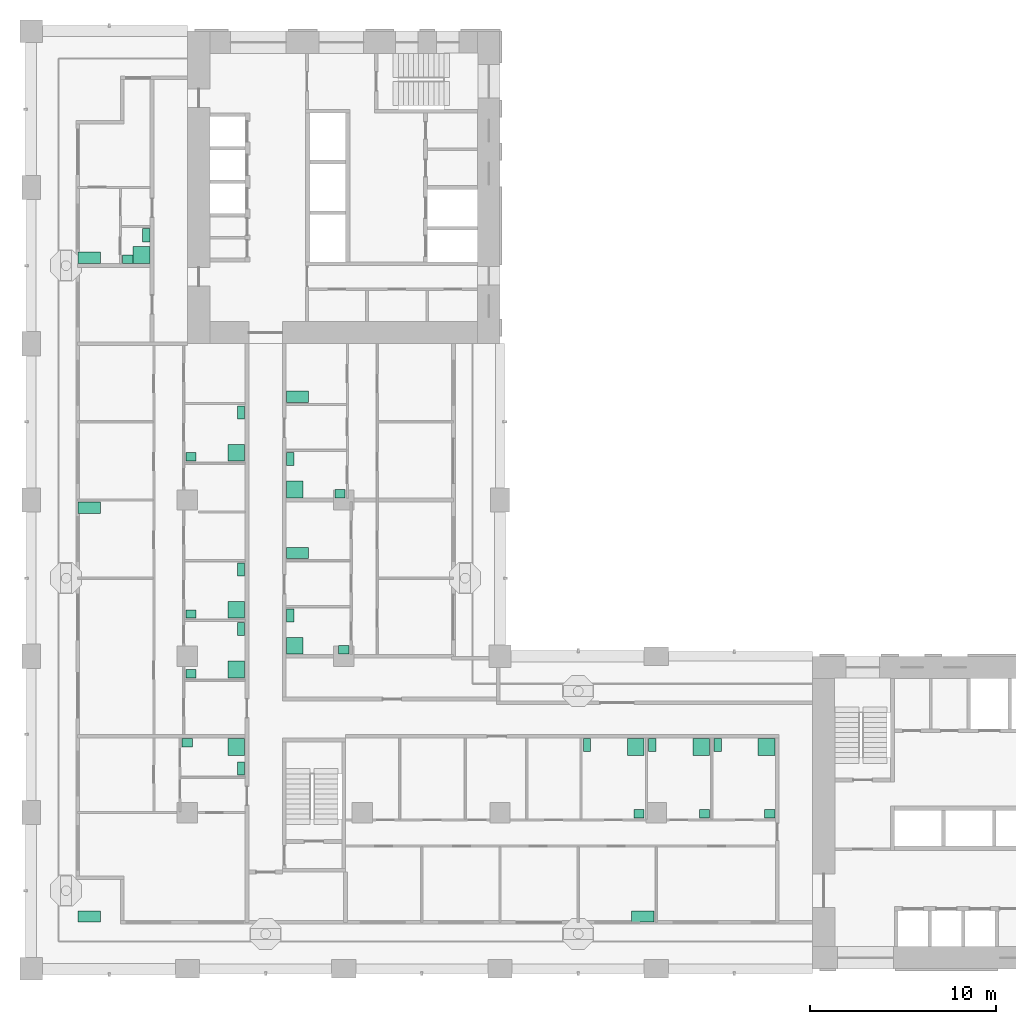
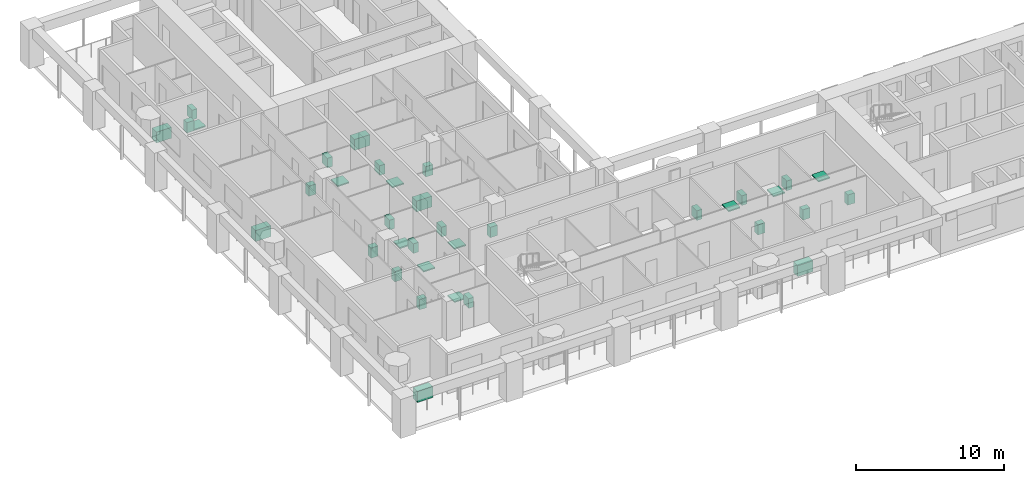
# One storey, part 17 of 19: 36 sanitary terminals.
"""IFC4 building model written with IfcOpenShell, lengths in metres."""

from ifc_helpers import new_model, si_unit, direction, frame, origin, origin_2d, place, context, subcontext, project, spatial, rectangle, extrude, material, element, save


model = new_model("IFC4")

# Units and contexts
model_context = context("Model", 3, precision=1e-05, world=origin(), true_north=direction((0.0, 1.0)))
body_context = subcontext(model_context, "Body", "Model", "MODEL_VIEW")
ifc_project = project(units=[si_unit("LENGTHUNIT", "METRE"), si_unit("AREAUNIT", "SQUARE_METRE"), si_unit("VOLUMEUNIT", "CUBIC_METRE"), si_unit("PLANEANGLEUNIT", "RADIAN"), si_unit("MASSUNIT", "GRAM", prefix="KILO")], contexts=[model_context])

# Site, building, storey
site_placement = place(None, origin())
site = spatial("IfcSite", under=ifc_project, at=site_placement, CompositionType="ELEMENT")
building_placement = place(site_placement, origin())
building = spatial("IfcBuilding", under=site, at=building_placement, Name="Vermilion Gate Residences", CompositionType="ELEMENT")
storey_placement = place(building_placement, frame((0.0, 0.0, 119.699951171875)))
storey = spatial("IfcBuildingStorey", under=building, at=storey_placement, Name="L30", CompositionType="ELEMENT", Elevation=119.699951171875)

# Sanitary terminals
ifc_material_1 = material(Name="Stainless steel", Category="steel")
sanitary_terminal_1_placement = place(storey_placement, frame((3.1201171875, 11.219970703125, 0.0), z_axis=(0.0, 0.0, 1.0), x_axis=(1.0, 0.0, 0.0)))
element("IfcSanitaryTerminal", 1, at=sanitary_terminal_1_placement, inside=storey, material=ifc_material_1, Name="Kitchen sink", PredefinedType="SINK", context=body_context, shape_type="SweptSolid", body=[
    extrude(rectangle(XDim=1.199951171875, YDim=0.60009765625, at=origin_2d()), origin(), (0.0, 0.0, 1.0), 0.89990234375),
])
ifc_material_2 = material(Name="Vitreous china")
sanitary_terminal_2_placement = place(storey_placement, frame((11.030029296875, 20.330078125, 0.0), z_axis=(0.0, 0.0, 1.0), x_axis=(1.0, 0.0, 0.0)))
element("IfcSanitaryTerminal", 2, at=sanitary_terminal_2_placement, inside=storey, material=ifc_material_2, Name="Shower tray", PredefinedType="SHOWER", context=body_context, shape_type="SweptSolid", body=[
    extrude(rectangle(XDim=0.89990234375, YDim=0.89990234375, at=origin_2d()), origin(), (0.0, 0.0, 1.0), 0.10009765625),
])
sanitary_terminal_3_placement = place(storey_placement, frame((11.280029296875, 19.169921875, 0.0), z_axis=(0.0, 0.0, 1.0), x_axis=(1.0, 0.0, 0.0)))
element("IfcSanitaryTerminal", 3, at=sanitary_terminal_3_placement, inside=storey, material=ifc_material_2, Name="Toilet", PredefinedType="TOILETPAN", context=body_context, shape_type="SweptSolid", body=[
    extrude(rectangle(XDim=0.39990234375, YDim=0.699951171875, at=origin_2d()), origin(), (0.0, 0.0, 1.0), 0.800048828125),
])
sanitary_terminal_4_placement = place(storey_placement, frame((8.39501953125, 20.554931640625, 0.0), z_axis=(0.0, 0.0, 1.0), x_axis=(1.0, 0.0, 0.0)))
element("IfcSanitaryTerminal", 4, at=sanitary_terminal_4_placement, inside=storey, material=ifc_material_2, Name="Wash basin", PredefinedType="WASHHANDBASIN", context=body_context, shape_type="SweptSolid", body=[
    extrude(rectangle(XDim=0.550048828125, YDim=0.449951171875, at=origin_2d()), origin(), (0.0, 0.0, 1.0), 0.85009765625),
])
sanitary_terminal_5_placement = place(storey_placement, frame((32.8798828125, 11.219970703125, 0.0), z_axis=(0.0, 0.0, 1.0), x_axis=(1.0, 0.0, 0.0)))
element("IfcSanitaryTerminal", 5, at=sanitary_terminal_5_placement, inside=storey, material=ifc_material_1, Name="Kitchen sink", PredefinedType="SINK", context=body_context, shape_type="SweptSolid", body=[
    extrude(rectangle(XDim=1.199951171875, YDim=0.60009765625, at=origin_2d()), origin(), (0.0, 0.0, 1.0), 0.89990234375),
])
sanitary_terminal_6_placement = place(storey_placement, frame((32.501953125, 20.330078125, 0.0), z_axis=(0.0, 0.0, 1.0), x_axis=(1.0, 0.0, 0.0)))
element("IfcSanitaryTerminal", 6, at=sanitary_terminal_6_placement, inside=storey, material=ifc_material_2, Name="Shower tray", PredefinedType="SHOWER", context=body_context, shape_type="SweptSolid", body=[
    extrude(rectangle(XDim=0.89990234375, YDim=0.89990234375, at=origin_2d()), origin(), (0.0, 0.0, 1.0), 0.10009765625),
])
sanitary_terminal_7_placement = place(storey_placement, frame((29.876953125, 20.429931640625, 0.0), z_axis=(0.0, 0.0, 1.0), x_axis=(1.0, 0.0, 0.0)))
element("IfcSanitaryTerminal", 7, at=sanitary_terminal_7_placement, inside=storey, material=ifc_material_2, Name="Toilet", PredefinedType="TOILETPAN", context=body_context, shape_type="SweptSolid", body=[
    extrude(rectangle(XDim=0.39990234375, YDim=0.699951171875, at=origin_2d()), origin(), (0.0, 0.0, 1.0), 0.800048828125),
])
sanitary_terminal_8_placement = place(storey_placement, frame((32.677001953125, 16.7451171875, 0.0), z_axis=(0.0, 0.0, 1.0), x_axis=(1.0, 0.0, 0.0)))
element("IfcSanitaryTerminal", 8, at=sanitary_terminal_8_placement, inside=storey, material=ifc_material_2, Name="Wash basin", PredefinedType="WASHHANDBASIN", context=body_context, shape_type="SweptSolid", body=[
    extrude(rectangle(XDim=0.550048828125, YDim=0.449951171875, at=origin_2d()), origin(), (0.0, 0.0, 1.0), 0.85009765625),
])
sanitary_terminal_9_placement = place(storey_placement, frame((36.01611328125, 20.330078125, 0.0), z_axis=(0.0, 0.0, 1.0), x_axis=(1.0, 0.0, 0.0)))
element("IfcSanitaryTerminal", 9, at=sanitary_terminal_9_placement, inside=storey, material=ifc_material_2, Name="Shower tray", PredefinedType="SHOWER", context=body_context, shape_type="SweptSolid", body=[
    extrude(rectangle(XDim=0.89990234375, YDim=0.89990234375, at=origin_2d()), origin(), (0.0, 0.0, 1.0), 0.10009765625),
])
sanitary_terminal_10_placement = place(storey_placement, frame((33.39208984375, 20.429931640625, 0.0), z_axis=(0.0, 0.0, 1.0), x_axis=(1.0, 0.0, 0.0)))
element("IfcSanitaryTerminal", 10, at=sanitary_terminal_10_placement, inside=storey, material=ifc_material_2, Name="Toilet", PredefinedType="TOILETPAN", context=body_context, shape_type="SweptSolid", body=[
    extrude(rectangle(XDim=0.39990234375, YDim=0.699951171875, at=origin_2d()), origin(), (0.0, 0.0, 1.0), 0.800048828125),
])
sanitary_terminal_11_placement = place(storey_placement, frame((36.19091796875, 16.7451171875, 0.0), z_axis=(0.0, 0.0, 1.0), x_axis=(1.0, 0.0, 0.0)))
element("IfcSanitaryTerminal", 11, at=sanitary_terminal_11_placement, inside=storey, material=ifc_material_2, Name="Wash basin", PredefinedType="WASHHANDBASIN", context=body_context, shape_type="SweptSolid", body=[
    extrude(rectangle(XDim=0.550048828125, YDim=0.449951171875, at=origin_2d()), origin(), (0.0, 0.0, 1.0), 0.85009765625),
])
sanitary_terminal_12_placement = place(storey_placement, frame((39.530029296875, 20.330078125, 0.0), z_axis=(0.0, 0.0, 1.0), x_axis=(1.0, 0.0, 0.0)))
element("IfcSanitaryTerminal", 12, at=sanitary_terminal_12_placement, inside=storey, material=ifc_material_2, Name="Shower tray", PredefinedType="SHOWER", context=body_context, shape_type="SweptSolid", body=[
    extrude(rectangle(XDim=0.89990234375, YDim=0.89990234375, at=origin_2d()), origin(), (0.0, 0.0, 1.0), 0.10009765625),
])
sanitary_terminal_13_placement = place(storey_placement, frame((36.906005859375, 20.429931640625, 0.0), z_axis=(0.0, 0.0, 1.0), x_axis=(1.0, 0.0, 0.0)))
element("IfcSanitaryTerminal", 13, at=sanitary_terminal_13_placement, inside=storey, material=ifc_material_2, Name="Toilet", PredefinedType="TOILETPAN", context=body_context, shape_type="SweptSolid", body=[
    extrude(rectangle(XDim=0.39990234375, YDim=0.699951171875, at=origin_2d()), origin(), (0.0, 0.0, 1.0), 0.800048828125),
])
sanitary_terminal_14_placement = place(storey_placement, frame((39.705078125, 16.7451171875, 0.0), z_axis=(0.0, 0.0, 1.0), x_axis=(1.0, 0.0, 0.0)))
element("IfcSanitaryTerminal", 14, at=sanitary_terminal_14_placement, inside=storey, material=ifc_material_2, Name="Wash basin", PredefinedType="WASHHANDBASIN", context=body_context, shape_type="SweptSolid", body=[
    extrude(rectangle(XDim=0.550048828125, YDim=0.449951171875, at=origin_2d()), origin(), (0.0, 0.0, 1.0), 0.85009765625),
])
sanitary_terminal_15_placement = place(storey_placement, frame((3.1201171875, 33.179931640625, 0.0), z_axis=(0.0, 0.0, 1.0), x_axis=(1.0, 0.0, 0.0)))
element("IfcSanitaryTerminal", 15, at=sanitary_terminal_15_placement, inside=storey, material=ifc_material_1, Name="Kitchen sink", PredefinedType="SINK", context=body_context, shape_type="SweptSolid", body=[
    extrude(rectangle(XDim=1.199951171875, YDim=0.60009765625, at=origin_2d()), origin(), (0.0, 0.0, 1.0), 0.89990234375),
])
sanitary_terminal_16_placement = place(storey_placement, frame((11.030029296875, 24.48388671875, 0.0), z_axis=(0.0, 0.0, 1.0), x_axis=(1.0, 0.0, 0.0)))
element("IfcSanitaryTerminal", 16, at=sanitary_terminal_16_placement, inside=storey, material=ifc_material_2, Name="Shower tray", PredefinedType="SHOWER", context=body_context, shape_type="SweptSolid", body=[
    extrude(rectangle(XDim=0.89990234375, YDim=0.89990234375, at=origin_2d()), origin(), (0.0, 0.0, 1.0), 0.10009765625),
])
sanitary_terminal_17_placement = place(storey_placement, frame((11.280029296875, 26.658935546875, 0.0), z_axis=(0.0, 0.0, 1.0), x_axis=(1.0, 0.0, 0.0)))
element("IfcSanitaryTerminal", 17, at=sanitary_terminal_17_placement, inside=storey, material=ifc_material_2, Name="Toilet", PredefinedType="TOILETPAN", context=body_context, shape_type="SweptSolid", body=[
    extrude(rectangle(XDim=0.39990234375, YDim=0.699951171875, at=origin_2d()), origin(), (0.0, 0.0, 1.0), 0.800048828125),
])
sanitary_terminal_18_placement = place(storey_placement, frame((8.594970703125, 24.259033203125, 0.0), z_axis=(0.0, 0.0, 1.0), x_axis=(1.0, 0.0, 0.0)))
element("IfcSanitaryTerminal", 18, at=sanitary_terminal_18_placement, inside=storey, material=ifc_material_2, Name="Wash basin", PredefinedType="WASHHANDBASIN", context=body_context, shape_type="SweptSolid", body=[
    extrude(rectangle(XDim=0.550048828125, YDim=0.449951171875, at=origin_2d()), origin(), (0.0, 0.0, 1.0), 0.85009765625),
])
sanitary_terminal_19_placement = place(storey_placement, frame((11.030029296875, 27.698974609375, 0.0), z_axis=(0.0, 0.0, 1.0), x_axis=(1.0, 0.0, 0.0)))
element("IfcSanitaryTerminal", 19, at=sanitary_terminal_19_placement, inside=storey, material=ifc_material_2, Name="Shower tray", PredefinedType="SHOWER", context=body_context, shape_type="SweptSolid", body=[
    extrude(rectangle(XDim=0.89990234375, YDim=0.89990234375, at=origin_2d()), origin(), (0.0, 0.0, 1.0), 0.10009765625),
])
sanitary_terminal_20_placement = place(storey_placement, frame((11.280029296875, 29.873046875, 0.0), z_axis=(0.0, 0.0, 1.0), x_axis=(1.0, 0.0, 0.0)))
element("IfcSanitaryTerminal", 20, at=sanitary_terminal_20_placement, inside=storey, material=ifc_material_2, Name="Toilet", PredefinedType="TOILETPAN", context=body_context, shape_type="SweptSolid", body=[
    extrude(rectangle(XDim=0.39990234375, YDim=0.699951171875, at=origin_2d()), origin(), (0.0, 0.0, 1.0), 0.800048828125),
])
sanitary_terminal_21_placement = place(storey_placement, frame((8.594970703125, 27.47412109375, 0.0), z_axis=(0.0, 0.0, 1.0), x_axis=(1.0, 0.0, 0.0)))
element("IfcSanitaryTerminal", 21, at=sanitary_terminal_21_placement, inside=storey, material=ifc_material_2, Name="Wash basin", PredefinedType="WASHHANDBASIN", context=body_context, shape_type="SweptSolid", body=[
    extrude(rectangle(XDim=0.550048828125, YDim=0.449951171875, at=origin_2d()), origin(), (0.0, 0.0, 1.0), 0.85009765625),
])
sanitary_terminal_22_placement = place(storey_placement, frame((11.030029296875, 36.14208984375, 0.0), z_axis=(0.0, 0.0, 1.0), x_axis=(1.0, 0.0, 0.0)))
element("IfcSanitaryTerminal", 22, at=sanitary_terminal_22_placement, inside=storey, material=ifc_material_2, Name="Shower tray", PredefinedType="SHOWER", context=body_context, shape_type="SweptSolid", body=[
    extrude(rectangle(XDim=0.89990234375, YDim=0.89990234375, at=origin_2d()), origin(), (0.0, 0.0, 1.0), 0.10009765625),
])
sanitary_terminal_23_placement = place(storey_placement, frame((11.280029296875, 38.31591796875, 0.0), z_axis=(0.0, 0.0, 1.0), x_axis=(1.0, 0.0, 0.0)))
element("IfcSanitaryTerminal", 23, at=sanitary_terminal_23_placement, inside=storey, material=ifc_material_2, Name="Toilet", PredefinedType="TOILETPAN", context=body_context, shape_type="SweptSolid", body=[
    extrude(rectangle(XDim=0.39990234375, YDim=0.699951171875, at=origin_2d()), origin(), (0.0, 0.0, 1.0), 0.800048828125),
])
sanitary_terminal_24_placement = place(storey_placement, frame((8.594970703125, 35.9169921875, 0.0), z_axis=(0.0, 0.0, 1.0), x_axis=(1.0, 0.0, 0.0)))
element("IfcSanitaryTerminal", 24, at=sanitary_terminal_24_placement, inside=storey, material=ifc_material_2, Name="Wash basin", PredefinedType="WASHHANDBASIN", context=body_context, shape_type="SweptSolid", body=[
    extrude(rectangle(XDim=0.550048828125, YDim=0.449951171875, at=origin_2d()), origin(), (0.0, 0.0, 1.0), 0.85009765625),
])
sanitary_terminal_25_placement = place(storey_placement, frame((14.169921875, 25.77001953125, 0.0), z_axis=(0.0, 0.0, 1.0), x_axis=(1.0, 0.0, 0.0)))
element("IfcSanitaryTerminal", 25, at=sanitary_terminal_25_placement, inside=storey, material=ifc_material_2, Name="Shower tray", PredefinedType="SHOWER", context=body_context, shape_type="SweptSolid", body=[
    extrude(rectangle(XDim=0.89990234375, YDim=0.89990234375, at=origin_2d()), origin(), (0.0, 0.0, 1.0), 0.10009765625),
])
sanitary_terminal_26_placement = place(storey_placement, frame((13.919921875, 27.39697265625, 0.0), z_axis=(0.0, 0.0, 1.0), x_axis=(1.0, 0.0, 0.0)))
element("IfcSanitaryTerminal", 26, at=sanitary_terminal_26_placement, inside=storey, material=ifc_material_2, Name="Toilet", PredefinedType="TOILETPAN", context=body_context, shape_type="SweptSolid", body=[
    extrude(rectangle(XDim=0.39990234375, YDim=0.699951171875, at=origin_2d()), origin(), (0.0, 0.0, 1.0), 0.800048828125),
])
sanitary_terminal_27_placement = place(storey_placement, frame((16.804931640625, 25.544921875, 0.0), z_axis=(0.0, 0.0, 1.0), x_axis=(1.0, 0.0, 0.0)))
element("IfcSanitaryTerminal", 27, at=sanitary_terminal_27_placement, inside=storey, material=ifc_material_2, Name="Wash basin", PredefinedType="WASHHANDBASIN", context=body_context, shape_type="SweptSolid", body=[
    extrude(rectangle(XDim=0.550048828125, YDim=0.449951171875, at=origin_2d()), origin(), (0.0, 0.0, 1.0), 0.85009765625),
])
sanitary_terminal_28_placement = place(storey_placement, frame((14.320068359375, 30.7529296875, 0.0), z_axis=(0.0, 0.0, 1.0), x_axis=(1.0, 0.0, 0.0)))
element("IfcSanitaryTerminal", 28, at=sanitary_terminal_28_placement, inside=storey, material=ifc_material_1, Name="Kitchen sink", PredefinedType="SINK", context=body_context, shape_type="SweptSolid", body=[
    extrude(rectangle(XDim=1.199951171875, YDim=0.60009765625, at=origin_2d()), origin(), (0.0, 0.0, 1.0), 0.89990234375),
])
sanitary_terminal_29_placement = place(storey_placement, frame((14.169921875, 34.169921875, 0.0), z_axis=(0.0, 0.0, 1.0), x_axis=(1.0, 0.0, 0.0)))
element("IfcSanitaryTerminal", 29, at=sanitary_terminal_29_placement, inside=storey, material=ifc_material_2, Name="Shower tray", PredefinedType="SHOWER", context=body_context, shape_type="SweptSolid", body=[
    extrude(rectangle(XDim=0.89990234375, YDim=0.89990234375, at=origin_2d()), origin(), (0.0, 0.0, 1.0), 0.10009765625),
])
sanitary_terminal_30_placement = place(storey_placement, frame((13.919921875, 35.797119140625, 0.0), z_axis=(0.0, 0.0, 1.0), x_axis=(1.0, 0.0, 0.0)))
element("IfcSanitaryTerminal", 30, at=sanitary_terminal_30_placement, inside=storey, material=ifc_material_2, Name="Toilet", PredefinedType="TOILETPAN", context=body_context, shape_type="SweptSolid", body=[
    extrude(rectangle(XDim=0.39990234375, YDim=0.699951171875, at=origin_2d()), origin(), (0.0, 0.0, 1.0), 0.800048828125),
])
sanitary_terminal_31_placement = place(storey_placement, frame((16.60498046875, 33.945068359375, 0.0), z_axis=(0.0, 0.0, 1.0), x_axis=(1.0, 0.0, 0.0)))
element("IfcSanitaryTerminal", 31, at=sanitary_terminal_31_placement, inside=storey, material=ifc_material_2, Name="Wash basin", PredefinedType="WASHHANDBASIN", context=body_context, shape_type="SweptSolid", body=[
    extrude(rectangle(XDim=0.550048828125, YDim=0.449951171875, at=origin_2d()), origin(), (0.0, 0.0, 1.0), 0.85009765625),
])
for number, where, z_axis, x_axis, name in (
    (32, (14.320068359375, 39.153076171875, 0.0), (0.0, 0.0, 1.0), (1.0, 0.0, 0.0), "Kitchen sink"),
    (33, (3.1201171875, 46.6201171875, 0.0), (0.0, 0.0, 1.0), (1.0, 0.0, 0.0), "Kitchen sink"),
):
    element("IfcSanitaryTerminal", number, at=place(storey_placement, frame(where, z_axis=z_axis, x_axis=x_axis)), inside=storey, material=ifc_material_1, Name=name, PredefinedType="SINK", context=body_context, shape_type="SweptSolid", body=[
        extrude(rectangle(XDim=1.199951171875, YDim=0.60009765625, at=origin_2d()), origin(), (0.0, 0.0, 1.0), 0.89990234375),
    ])
sanitary_terminal_32_placement = place(storey_placement, frame((5.929931640625, 46.77001953125, 0.0), z_axis=(0.0, 0.0, 1.0), x_axis=(1.0, 0.0, 0.0)))
element("IfcSanitaryTerminal", 34, at=sanitary_terminal_32_placement, inside=storey, material=ifc_material_2, Name="Shower tray", PredefinedType="SHOWER", context=body_context, shape_type="SweptSolid", body=[
    extrude(rectangle(XDim=0.89990234375, YDim=0.89990234375, at=origin_2d()), origin(), (0.0, 0.0, 1.0), 0.10009765625),
])
sanitary_terminal_33_placement = place(storey_placement, frame((6.179931640625, 47.830078125, 0.0), z_axis=(0.0, 0.0, 1.0), x_axis=(1.0, 0.0, 0.0)))
element("IfcSanitaryTerminal", 35, at=sanitary_terminal_33_placement, inside=storey, material=ifc_material_2, Name="Toilet", PredefinedType="TOILETPAN", context=body_context, shape_type="SweptSolid", body=[
    extrude(rectangle(XDim=0.39990234375, YDim=0.699951171875, at=origin_2d()), origin(), (0.0, 0.0, 1.0), 0.800048828125),
])
sanitary_terminal_34_placement = place(storey_placement, frame((5.195068359375, 46.544921875, 0.0), z_axis=(0.0, 0.0, 1.0), x_axis=(1.0, 0.0, 0.0)))
element("IfcSanitaryTerminal", 36, at=sanitary_terminal_34_placement, inside=storey, material=ifc_material_2, Name="Wash basin", PredefinedType="WASHHANDBASIN", context=body_context, shape_type="SweptSolid", body=[
    extrude(rectangle(XDim=0.550048828125, YDim=0.449951171875, at=origin_2d()), origin(), (0.0, 0.0, 1.0), 0.85009765625),
])

save(model, "model.ifc")
